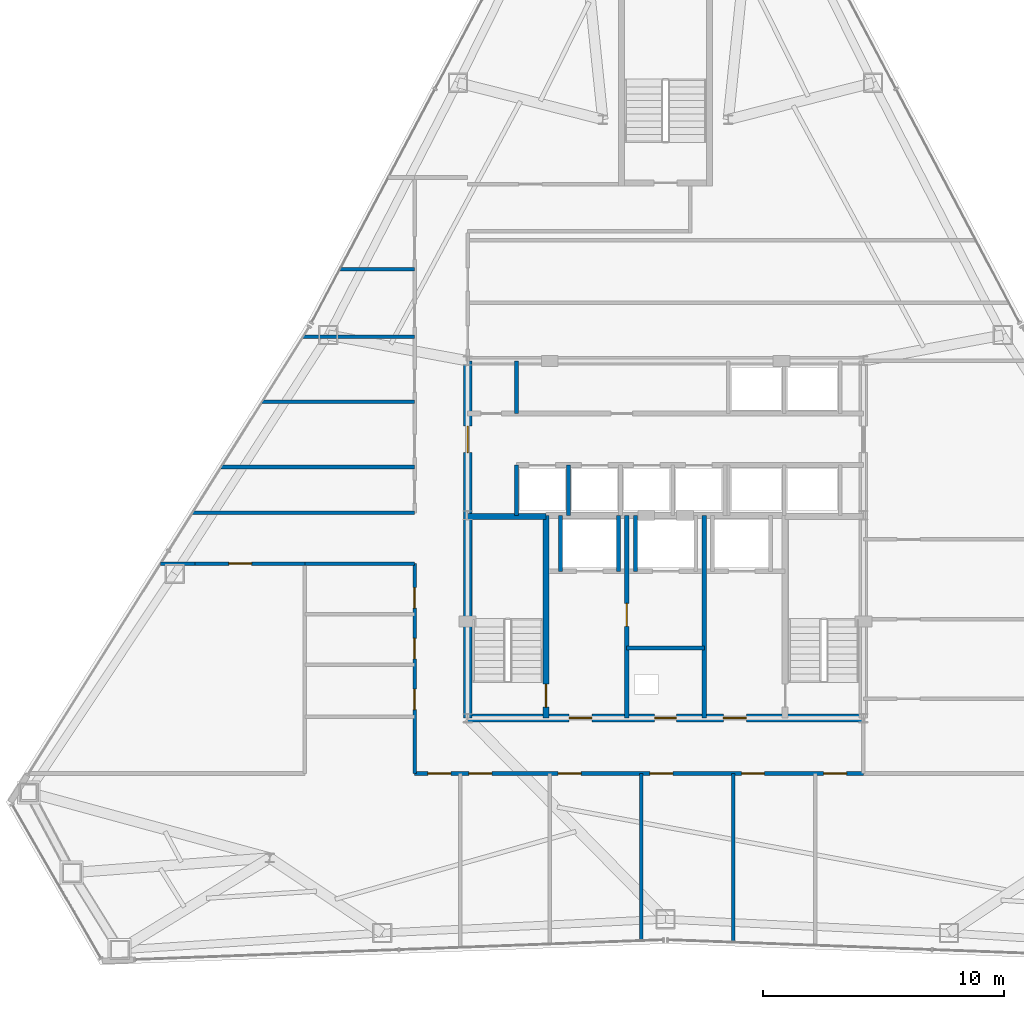
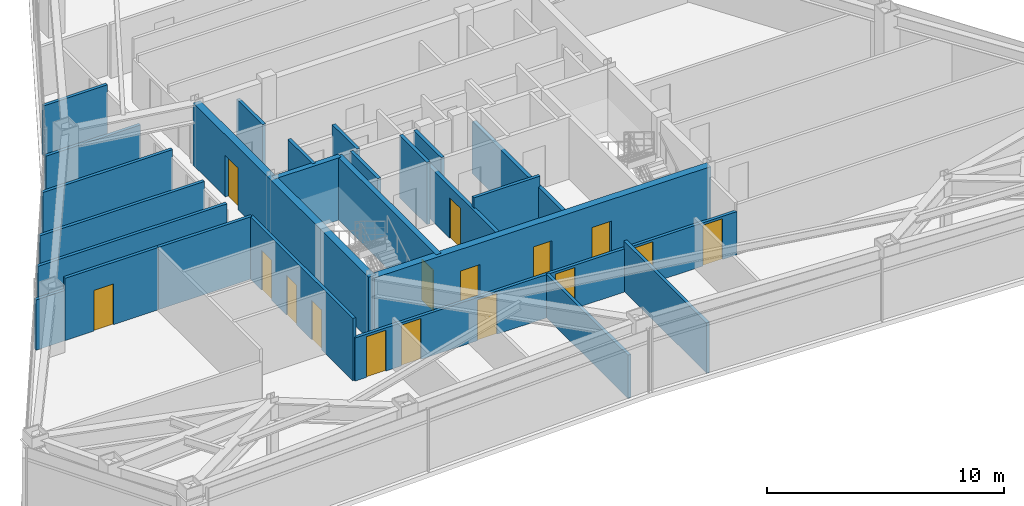
# One storey, part 10 of 13: 25 walls, 16 doors, 16 openings.
"""IFC4 building model written with IfcOpenShell, lengths in metres."""

from ifc_helpers import new_model, si_unit, direction, frame, frame_2d, origin, place, context, subcontext, project, spatial, rectangle, extrude, material, layer, layer_set, type_object, element, fill, save


model = new_model("IFC4")

# Units and contexts
model_context = context("Model", 3, precision=1e-05, world=origin(), true_north=direction((0.0, 1.0)))
body_context = subcontext(model_context, "Body", "Model", "MODEL_VIEW")
ifc_project = project(units=[si_unit("LENGTHUNIT", "METRE"), si_unit("AREAUNIT", "SQUARE_METRE"), si_unit("VOLUMEUNIT", "CUBIC_METRE"), si_unit("PLANEANGLEUNIT", "RADIAN"), si_unit("MASSUNIT", "GRAM", prefix="KILO")], contexts=[model_context])

# Site, building, storey
site_placement = place(None, origin())
site = spatial("IfcSite", under=ifc_project, at=site_placement, CompositionType="ELEMENT")
building_placement = place(site_placement, origin())
building = spatial("IfcBuilding", under=site, at=building_placement, Name="Varakhsha Concourse Tower", CompositionType="ELEMENT")
storey_placement = place(building_placement, frame((0.0, 0.0, 179.25)))
storey = spatial("IfcBuildingStorey", under=building, at=storey_placement, Name="L51", CompositionType="ELEMENT", Elevation=179.25)

# Wall, openings, doors
ifc_material_1 = material(Name="Concrete fc 65 MPa", Category="concrete")
ifc_layer_1 = layer(ifc_material_1, 0.35009765625, Name="WL-CORE-350")
ifc_layer_set_1 = layer_set([ifc_layer_1], Name="Concrete fc 65 MPa")
wall_type_1 = type_object("IfcWallType", Name="WL-CORE-350", PredefinedType="SHEAR", material=ifc_layer_set_1)
wall_1_placement = place(storey_placement, frame((31.800048828125, 16.39990234375, 0.0), z_axis=(0.0, 0.0, 1.0), x_axis=(1.0, 0.0, 0.0)))
wall_1 = element("IfcWall", 1, at=wall_1_placement, inside=storey, type_object=wall_type_1, Name="L51 Wall CWALL-S-L51", PredefinedType="SHEAR", context=body_context, shape_type="SweptSolid", body=[
    extrude(rectangle(XDim=16.39990234375, YDim=0.35009765625, at=frame_2d((8.199951171875, 0.0))), origin(), (0.0, 0.0, 1.0), 3.2099609375),
])
opening_1_placement = place(wall_1_placement, frame((7.75, 0.0, 0.0)))
opening_1 = element("IfcOpeningElement", 2, at=opening_1_placement, cuts=wall_1, Name="Opening DF-06", PredefinedType="OPENING", context=body_context, shape_type="SweptSolid", body=[
    extrude(rectangle(XDim=0.89990234375, YDim=2.10009765625, at=frame_2d((0.449951171875, 1.050048828125))), frame((0.0, 0.18505859375, 0.0), z_axis=(0.0, -1.0, 0.0), x_axis=(1.0, 0.0, 0.0)), (0.0, 0.0, 1.0), 0.3701171875),
])
opening_2_placement = place(wall_1_placement, frame((4.199951171875, 0.0, 0.0)))
opening_2 = element("IfcOpeningElement", 3, at=opening_2_placement, cuts=wall_1, Name="Opening DF-05", PredefinedType="OPENING", context=body_context, shape_type="SweptSolid", body=[
    extrude(rectangle(XDim=0.949951171875, YDim=2.10009765625, at=frame_2d((0.47509765625, 1.050048828125))), frame((0.0, 0.18505859375, 0.0), z_axis=(0.0, -1.0, 0.0), x_axis=(1.0, 0.0, 0.0)), (0.0, 0.0, 1.0), 0.3701171875),
])
opening_3_placement = place(wall_1_placement, frame((10.60009765625, 0.0, 0.0)))
opening_3 = element("IfcOpeningElement", 4, at=opening_3_placement, cuts=wall_1, Name="Opening DF-05", PredefinedType="OPENING", context=body_context, shape_type="SweptSolid", body=[
    extrude(rectangle(XDim=0.949951171875, YDim=2.10009765625, at=frame_2d((0.47509765625, 1.050048828125))), frame((0.0, 0.18505859375, 0.0), z_axis=(0.0, -1.0, 0.0), x_axis=(1.0, 0.0, 0.0)), (0.0, 0.0, 1.0), 0.3701171875),
])
ifc_material_2 = material(Name="Hollow Galvanised Steel Fire Door Assembly", Category="steel")
door_type_1 = type_object("IfcDoorType", Name="DR-FD60-900", OperationType="NOTDEFINED", PredefinedType="DOOR", material=ifc_material_2)
door_1_placement = place(opening_1_placement, origin())
door_1 = element("IfcDoor", 5, at=door_1_placement, inside=storey, type_object=door_type_1, Name="L51 Electrical Riser Access Door", OperationType="SINGLE_SWING_LEFT", OverallHeight=2.10009765625, OverallWidth=0.89990234375, PredefinedType="DOOR", context=body_context, shape_type="SweptSolid", body=[
    extrude(rectangle(XDim=0.89990234375, YDim=2.10009765625, at=frame_2d((0.449951171875, 1.050048828125))), frame((0.0, 0.02490234375, 0.0), z_axis=(0.0, -1.0, 0.0), x_axis=(1.0, 0.0, 0.0)), (0.0, 0.0, 1.0), 0.050048828125),
])
fill(opening_1, door_1)
door_type_2 = type_object("IfcDoorType", Name="DR-FD60-950", OperationType="NOTDEFINED", PredefinedType="DOOR", material=ifc_material_2)
door_2_placement = place(opening_2_placement, origin())
door_2 = element("IfcDoor", 6, at=door_2_placement, inside=storey, type_object=door_type_2, Name="L51 Firefighting Lobby West Door", OperationType="SINGLE_SWING_RIGHT", OverallHeight=2.10009765625, OverallWidth=0.949951171875, PredefinedType="DOOR", context=body_context, shape_type="SweptSolid", body=[
    extrude(rectangle(XDim=0.949951171875, YDim=2.10009765625, at=frame_2d((0.47509765625, 1.050048828125))), frame((0.0, 0.02490234375, 0.0), z_axis=(0.0, -1.0, 0.0), x_axis=(1.0, 0.0, 0.0)), (0.0, 0.0, 1.0), 0.050048828125),
])
fill(opening_2, door_2)
door_3_placement = place(opening_3_placement, origin())
door_3 = element("IfcDoor", 7, at=door_3_placement, inside=storey, type_object=door_type_2, Name="L51 Firefighting Lobby East Door", OperationType="SINGLE_SWING_LEFT", OverallHeight=2.10009765625, OverallWidth=0.949951171875, PredefinedType="DOOR", context=body_context, shape_type="SweptSolid", body=[
    extrude(rectangle(XDim=0.949951171875, YDim=2.10009765625, at=frame_2d((0.47509765625, 1.050048828125))), frame((0.0, 0.02490234375, 0.0), z_axis=(0.0, -1.0, 0.0), x_axis=(1.0, 0.0, 0.0)), (0.0, 0.0, 1.0), 0.050048828125),
])
fill(opening_3, door_3)

# Wall, opening, door
wall_2_placement = place(storey_placement, frame((31.800048828125, 16.39990234375, 0.0), z_axis=(0.0, 0.0, 1.0), x_axis=(0.0, 1.0, 0.0)))
wall_2 = element("IfcWall", 8, at=wall_2_placement, inside=storey, type_object=wall_type_1, Name="L51 Wall CWALL-W-L51", PredefinedType="SHEAR", context=body_context, shape_type="SweptSolid", body=[
    extrude(rectangle(XDim=14.800048828125, YDim=0.35009765625, at=frame_2d((7.39990234375, 0.0))), origin(), (0.0, 0.0, 1.0), 3.2099609375),
])
opening_4_placement = place(wall_2_placement, frame((11.0, 0.0, 0.0)))
opening_4 = element("IfcOpeningElement", 9, at=opening_4_placement, cuts=wall_2, Name="Opening DL-01", PredefinedType="OPENING", context=body_context, shape_type="SweptSolid", body=[
    extrude(rectangle(XDim=1.10009765625, YDim=2.14990234375, at=frame_2d((0.550048828125, 1.074951171875))), frame((0.0, 0.18505859375, 0.0), z_axis=(0.0, -1.0, 0.0), x_axis=(1.0, 0.0, 0.0)), (0.0, 0.0, 1.0), 0.3701171875),
])
ifc_material_3 = material(Name="Anodised Bronze Architectural Aluminium AA 6063-T6", Category="aluminium")
door_type_3 = type_object("IfcDoorType", Name="DR-LOB-1100", OperationType="NOTDEFINED", PredefinedType="DOOR", material=ifc_material_3)
door_4_placement = place(opening_4_placement, origin())
door_4 = element("IfcDoor", 10, at=door_4_placement, inside=storey, type_object=door_type_3, Name="L51 Lift Lobby West Concourse Door", OperationType="SINGLE_SWING_LEFT", OverallHeight=2.14990234375, OverallWidth=1.10009765625, PredefinedType="DOOR", context=body_context, shape_type="SweptSolid", body=[
    extrude(rectangle(XDim=1.10009765625, YDim=2.14990234375, at=frame_2d((0.550048828125, 1.074951171875))), frame((0.0, 0.02490234375, 0.0), z_axis=(0.0, -1.0, 0.0), x_axis=(1.0, 0.0, 0.0)), (0.0, 0.0, 1.0), 0.050048828125),
])
fill(opening_4, door_4)

ifc_material_4 = material(Name="Fire-Rated Type X Gypsum Partition Assembly", Category="gypsum")
ifc_layer_2 = layer(ifc_material_4, 0.179931640625, Name="WL-FFLOB-180")
ifc_layer_set_2 = layer_set([ifc_layer_2], Name="Fire-Rated Type X Gypsum Partition Assembly")
wall_type_2 = type_object("IfcWallType", Name="WL-FFLOB-180", PredefinedType="PARTITIONING", material=ifc_layer_set_2)
wall_3_placement = place(storey_placement, frame((38.389892578125, 16.39990234375, 0.0), z_axis=(0.0, 0.0, 1.0), x_axis=(0.0, 1.0, 0.0)))
wall_3 = element("IfcWall", 11, at=wall_3_placement, inside=storey, type_object=wall_type_2, Name="L51 Wall FFW-1E-L51", PredefinedType="PARTITIONING", context=body_context, shape_type="SweptSolid", body=[
    extrude(rectangle(XDim=8.400146484375, YDim=0.179931640625, at=frame_2d((4.2001953125, 0.0))), origin(), (0.0, 0.0, 1.0), 2.6650390625),
])
opening_5_placement = place(wall_3_placement, frame((3.800048828125, 0.0, 0.0)))
opening_5 = element("IfcOpeningElement", 12, at=opening_5_placement, cuts=wall_3, Name="Opening DF-05", PredefinedType="OPENING", context=body_context, shape_type="SweptSolid", body=[
    extrude(rectangle(XDim=0.949951171875, YDim=2.10009765625, at=frame_2d((0.47509765625, 1.050048828125))), frame((0.0, 0.099853515625, 0.0), z_axis=(0.0, -1.0, 0.0), x_axis=(1.0, 0.0, 0.0)), (0.0, 0.0, 1.0), 0.199951171875),
])
door_5_placement = place(opening_5_placement, origin())
door_5 = element("IfcDoor", 13, at=door_5_placement, inside=storey, type_object=door_type_2, Name="L51 Service Vestibule Door", OperationType="SINGLE_SWING_RIGHT", OverallHeight=2.10009765625, OverallWidth=0.949951171875, PredefinedType="DOOR", context=body_context, shape_type="SweptSolid", body=[
    extrude(rectangle(XDim=0.949951171875, YDim=2.10009765625, at=frame_2d((0.47509765625, 1.050048828125))), frame((0.0, 0.02490234375, 0.0), z_axis=(0.0, -1.0, 0.0), x_axis=(1.0, 0.0, 0.0)), (0.0, 0.0, 1.0), 0.050048828125),
])
fill(opening_5, door_5)

# Walls
wall_4_placement = place(storey_placement, frame((41.610107421875, 16.39990234375, 0.0), z_axis=(0.0, 0.0, 1.0), x_axis=(0.0, 1.0, 0.0)))
element("IfcWall", 14, at=wall_4_placement, inside=storey, type_object=wall_type_2, Name="L51 Wall FFW-2W-L51", PredefinedType="PARTITIONING", context=body_context, shape_type="SweptSolid", body=[
    extrude(rectangle(XDim=8.400146484375, YDim=0.179931640625, at=frame_2d((4.2001953125, 0.0))), origin(), (0.0, 0.0, 1.0), 2.6650390625),
])
ifc_layer_3 = layer(ifc_material_4, 0.14990234375, Name="WL-PART-150")
ifc_layer_set_3 = layer_set([ifc_layer_3], Name="Fire-Rated Type X Gypsum Partition Assembly")
wall_type_3 = type_object("IfcWallType", Name="WL-PART-150", PredefinedType="PARTITIONING", material=ifc_layer_set_3)
wall_5_placement = place(storey_placement, frame((38.389892578125, 19.300048828125, 0.0), z_axis=(0.0, 0.0, 1.0), x_axis=(1.0, 0.0, 0.0)))
element("IfcWall", 15, at=wall_5_placement, inside=storey, type_object=wall_type_3, Name="L51 Wall RSW-H-L51", PredefinedType="PARTITIONING", context=body_context, shape_type="SweptSolid", body=[
    extrude(rectangle(XDim=3.22021484375, YDim=0.14990234375, at=frame_2d((1.610107421875, 0.0))), origin(), (0.0, 0.0, 1.0), 3.2099609375),
])

# Wall, openings, doors
wall_6_placement = place(storey_placement, frame((29.60009765625, 14.10009765625, 0.0), z_axis=(0.0, 0.0, 1.0), x_axis=(1.0, 0.0, 0.0)))
wall_6 = element("IfcWall", 16, at=wall_6_placement, inside=storey, type_object=wall_type_3, Name="L51 Wall CRW-S-L51", PredefinedType="PARTITIONING", context=body_context, shape_type="SweptSolid", body=[
    extrude(rectangle(XDim=18.599853515625, YDim=0.14990234375, at=frame_2d((9.2998046875, 0.0))), origin(), (0.0, 0.0, 1.0), 2.22509765625),
])
opening_6_placement = place(wall_6_placement, frame((0.550048828125, 0.0, 0.0)))
opening_6 = element("IfcOpeningElement", 17, at=opening_6_placement, cuts=wall_6, Name="Opening DF-05", PredefinedType="OPENING", context=body_context, shape_type="SweptSolid", body=[
    extrude(rectangle(XDim=0.949951171875, YDim=2.10009765625, at=frame_2d((0.47509765625, 1.050048828125))), frame((0.0, 0.0849609375, 0.0), z_axis=(0.0, -1.0, 0.0), x_axis=(1.0, 0.0, 0.0)), (0.0, 0.0, 1.0), 0.169921875),
])
opening_7_placement = place(wall_6_placement, frame((2.25, 0.0, 0.0)))
opening_7 = element("IfcOpeningElement", 18, at=opening_7_placement, cuts=wall_6, Name="Opening DF-05", PredefinedType="OPENING", context=body_context, shape_type="SweptSolid", body=[
    extrude(rectangle(XDim=0.949951171875, YDim=2.10009765625, at=frame_2d((0.47509765625, 1.050048828125))), frame((0.0, 0.0849609375, 0.0), z_axis=(0.0, -1.0, 0.0), x_axis=(1.0, 0.0, 0.0)), (0.0, 0.0, 1.0), 0.169921875),
])
opening_8_placement = place(wall_6_placement, frame((5.949951171875, 0.0, 0.0)))
opening_8 = element("IfcOpeningElement", 19, at=opening_8_placement, cuts=wall_6, Name="Opening DF-05", PredefinedType="OPENING", context=body_context, shape_type="SweptSolid", body=[
    extrude(rectangle(XDim=0.949951171875, YDim=2.10009765625, at=frame_2d((0.47509765625, 1.050048828125))), frame((0.0, 0.0849609375, 0.0), z_axis=(0.0, -1.0, 0.0), x_axis=(1.0, 0.0, 0.0)), (0.0, 0.0, 1.0), 0.169921875),
])
opening_9_placement = place(wall_6_placement, frame((9.75, 0.0, 0.0)))
opening_9 = element("IfcOpeningElement", 20, at=opening_9_placement, cuts=wall_6, Name="Opening DF-05", PredefinedType="OPENING", context=body_context, shape_type="SweptSolid", body=[
    extrude(rectangle(XDim=0.949951171875, YDim=2.10009765625, at=frame_2d((0.47509765625, 1.050048828125))), frame((0.0, 0.0849609375, 0.0), z_axis=(0.0, -1.0, 0.0), x_axis=(1.0, 0.0, 0.0)), (0.0, 0.0, 1.0), 0.169921875),
])
opening_10_placement = place(wall_6_placement, frame((13.550048828125, 0.0, 0.0)))
opening_10 = element("IfcOpeningElement", 21, at=opening_10_placement, cuts=wall_6, Name="Opening DF-05", PredefinedType="OPENING", context=body_context, shape_type="SweptSolid", body=[
    extrude(rectangle(XDim=0.949951171875, YDim=2.10009765625, at=frame_2d((0.47509765625, 1.050048828125))), frame((0.0, 0.0849609375, 0.0), z_axis=(0.0, -1.0, 0.0), x_axis=(1.0, 0.0, 0.0)), (0.0, 0.0, 1.0), 0.169921875),
])
opening_11_placement = place(wall_6_placement, frame((16.949951171875, 0.0, 0.0)))
opening_11 = element("IfcOpeningElement", 22, at=opening_11_placement, cuts=wall_6, Name="Opening DF-05", PredefinedType="OPENING", context=body_context, shape_type="SweptSolid", body=[
    extrude(rectangle(XDim=0.949951171875, YDim=2.10009765625, at=frame_2d((0.47509765625, 1.050048828125))), frame((0.0, 0.0849609375, 0.0), z_axis=(0.0, -1.0, 0.0), x_axis=(1.0, 0.0, 0.0)), (0.0, 0.0, 1.0), 0.169921875),
])
door_6_placement = place(opening_6_placement, origin())
door_6 = element("IfcDoor", 23, at=door_6_placement, inside=storey, type_object=door_type_2, Name="L51 Deposition Conference Room L51-S1 Door", OperationType="SINGLE_SWING_LEFT", OverallHeight=2.10009765625, OverallWidth=0.949951171875, PredefinedType="DOOR", context=body_context, shape_type="SweptSolid", body=[
    extrude(rectangle(XDim=0.949951171875, YDim=2.10009765625, at=frame_2d((0.47509765625, 1.050048828125))), frame((0.0, 0.02490234375, 0.0), z_axis=(0.0, -1.0, 0.0), x_axis=(1.0, 0.0, 0.0)), (0.0, 0.0, 1.0), 0.050048828125),
])
fill(opening_6, door_6)
door_7_placement = place(opening_7_placement, origin())
door_7 = element("IfcDoor", 24, at=door_7_placement, inside=storey, type_object=door_type_2, Name="L51 Senior Partner Chamber L51-S2 Door", OperationType="SINGLE_SWING_RIGHT", OverallHeight=2.10009765625, OverallWidth=0.949951171875, PredefinedType="DOOR", context=body_context, shape_type="SweptSolid", body=[
    extrude(rectangle(XDim=0.949951171875, YDim=2.10009765625, at=frame_2d((0.47509765625, 1.050048828125))), frame((0.0, 0.02490234375, 0.0), z_axis=(0.0, -1.0, 0.0), x_axis=(1.0, 0.0, 0.0)), (0.0, 0.0, 1.0), 0.050048828125),
])
fill(opening_7, door_7)
door_8_placement = place(opening_8_placement, origin())
door_8 = element("IfcDoor", 25, at=door_8_placement, inside=storey, type_object=door_type_2, Name="L51 Senior Partner Chamber L51-S3 Door", OperationType="SINGLE_SWING_LEFT", OverallHeight=2.10009765625, OverallWidth=0.949951171875, PredefinedType="DOOR", context=body_context, shape_type="SweptSolid", body=[
    extrude(rectangle(XDim=0.949951171875, YDim=2.10009765625, at=frame_2d((0.47509765625, 1.050048828125))), frame((0.0, 0.02490234375, 0.0), z_axis=(0.0, -1.0, 0.0), x_axis=(1.0, 0.0, 0.0)), (0.0, 0.0, 1.0), 0.050048828125),
])
fill(opening_8, door_8)
door_9_placement = place(opening_9_placement, origin())
door_9 = element("IfcDoor", 26, at=door_9_placement, inside=storey, type_object=door_type_2, Name="L51 Senior Partner Chamber L51-S4 Door", OperationType="SINGLE_SWING_RIGHT", OverallHeight=2.10009765625, OverallWidth=0.949951171875, PredefinedType="DOOR", context=body_context, shape_type="SweptSolid", body=[
    extrude(rectangle(XDim=0.949951171875, YDim=2.10009765625, at=frame_2d((0.47509765625, 1.050048828125))), frame((0.0, 0.02490234375, 0.0), z_axis=(0.0, -1.0, 0.0), x_axis=(1.0, 0.0, 0.0)), (0.0, 0.0, 1.0), 0.050048828125),
])
fill(opening_9, door_9)
door_10_placement = place(opening_10_placement, origin())
door_10 = element("IfcDoor", 27, at=door_10_placement, inside=storey, type_object=door_type_2, Name="L51 Senior Partner Chamber L51-S5 Door", OperationType="SINGLE_SWING_LEFT", OverallHeight=2.10009765625, OverallWidth=0.949951171875, PredefinedType="DOOR", context=body_context, shape_type="SweptSolid", body=[
    extrude(rectangle(XDim=0.949951171875, YDim=2.10009765625, at=frame_2d((0.47509765625, 1.050048828125))), frame((0.0, 0.02490234375, 0.0), z_axis=(0.0, -1.0, 0.0), x_axis=(1.0, 0.0, 0.0)), (0.0, 0.0, 1.0), 0.050048828125),
])
fill(opening_10, door_10)
door_11_placement = place(opening_11_placement, origin())
door_11 = element("IfcDoor", 28, at=door_11_placement, inside=storey, type_object=door_type_2, Name="L51 Senior Partner Chamber L51-S6 Door", OperationType="SINGLE_SWING_RIGHT", OverallHeight=2.10009765625, OverallWidth=0.949951171875, PredefinedType="DOOR", context=body_context, shape_type="SweptSolid", body=[
    extrude(rectangle(XDim=0.949951171875, YDim=2.10009765625, at=frame_2d((0.47509765625, 1.050048828125))), frame((0.0, 0.02490234375, 0.0), z_axis=(0.0, -1.0, 0.0), x_axis=(1.0, 0.0, 0.0)), (0.0, 0.0, 1.0), 0.050048828125),
])
fill(opening_11, door_11)

wall_7_placement = place(storey_placement, frame((29.60009765625, 14.10009765625, 0.0), z_axis=(0.0, 0.0, 1.0), x_axis=(0.0, 1.0, 0.0)))
wall_7 = element("IfcWall", 29, at=wall_7_placement, inside=storey, type_object=wall_type_3, Name="L51 Wall CRW-WS-L51", PredefinedType="PARTITIONING", context=body_context, shape_type="SweptSolid", body=[
    extrude(rectangle(XDim=8.699951171875, YDim=0.14990234375, at=frame_2d((4.35009765625, 0.0))), origin(), (0.0, 0.0, 1.0), 3.2099609375),
])
opening_12_placement = place(wall_7_placement, frame((2.64990234375, 0.0, 0.0)))
opening_12 = element("IfcOpeningElement", 30, at=opening_12_placement, cuts=wall_7, Name="Opening DF-07", PredefinedType="OPENING", context=body_context, shape_type="SweptSolid", body=[
    extrude(rectangle(XDim=0.85009765625, YDim=2.050048828125, at=frame_2d((0.425048828125, 1.02490234375))), frame((0.0, 0.0849609375, 0.0), z_axis=(0.0, -1.0, 0.0), x_axis=(1.0, 0.0, 0.0)), (0.0, 0.0, 1.0), 0.169921875),
])
opening_13_placement = place(wall_7_placement, frame((4.75, 0.0, 0.0)))
opening_13 = element("IfcOpeningElement", 31, at=opening_13_placement, cuts=wall_7, Name="Opening DF-07", PredefinedType="OPENING", context=body_context, shape_type="SweptSolid", body=[
    extrude(rectangle(XDim=0.85009765625, YDim=2.050048828125, at=frame_2d((0.425048828125, 1.02490234375))), frame((0.0, 0.0849609375, 0.0), z_axis=(0.0, -1.0, 0.0), x_axis=(1.0, 0.0, 0.0)), (0.0, 0.0, 1.0), 0.169921875),
])
opening_14_placement = place(wall_7_placement, frame((6.85009765625, 0.0, 0.0)))
opening_14 = element("IfcOpeningElement", 32, at=opening_14_placement, cuts=wall_7, Name="Opening DF-07", PredefinedType="OPENING", context=body_context, shape_type="SweptSolid", body=[
    extrude(rectangle(XDim=0.85009765625, YDim=2.050048828125, at=frame_2d((0.425048828125, 1.02490234375))), frame((0.0, 0.0849609375, 0.0), z_axis=(0.0, -1.0, 0.0), x_axis=(1.0, 0.0, 0.0)), (0.0, 0.0, 1.0), 0.169921875),
])
door_type_4 = type_object("IfcDoorType", Name="DR-FD60-850", OperationType="NOTDEFINED", PredefinedType="DOOR", material=ifc_material_2)
door_12_placement = place(opening_12_placement, origin())
door_12 = element("IfcDoor", 33, at=door_12_placement, inside=storey, type_object=door_type_4, Name="L51 Men Restroom WC Door", OperationType="SINGLE_SWING_LEFT", OverallHeight=2.050048828125, OverallWidth=0.85009765625, PredefinedType="DOOR", context=body_context, shape_type="SweptSolid", body=[
    extrude(rectangle(XDim=0.85009765625, YDim=2.050048828125, at=frame_2d((0.425048828125, 1.02490234375))), frame((0.0, 0.02490234375, 0.0), z_axis=(0.0, -1.0, 0.0), x_axis=(1.0, 0.0, 0.0)), (0.0, 0.0, 1.0), 0.050048828125),
])
fill(opening_12, door_12)
door_13_placement = place(opening_13_placement, origin())
door_13 = element("IfcDoor", 34, at=door_13_placement, inside=storey, type_object=door_type_4, Name="L51 Women Restroom WC Door", OperationType="SINGLE_SWING_LEFT", OverallHeight=2.050048828125, OverallWidth=0.85009765625, PredefinedType="DOOR", context=body_context, shape_type="SweptSolid", body=[
    extrude(rectangle(XDim=0.85009765625, YDim=2.050048828125, at=frame_2d((0.425048828125, 1.02490234375))), frame((0.0, 0.02490234375, 0.0), z_axis=(0.0, -1.0, 0.0), x_axis=(1.0, 0.0, 0.0)), (0.0, 0.0, 1.0), 0.050048828125),
])
fill(opening_13, door_13)
door_14_placement = place(opening_14_placement, origin())
door_14 = element("IfcDoor", 35, at=door_14_placement, inside=storey, type_object=door_type_4, Name="L51 Accessible WC Door", OperationType="SINGLE_SWING_LEFT", OverallHeight=2.050048828125, OverallWidth=0.85009765625, PredefinedType="DOOR", context=body_context, shape_type="SweptSolid", body=[
    extrude(rectangle(XDim=0.85009765625, YDim=2.050048828125, at=frame_2d((0.425048828125, 1.02490234375))), frame((0.0, 0.02490234375, 0.0), z_axis=(0.0, -1.0, 0.0), x_axis=(1.0, 0.0, 0.0)), (0.0, 0.0, 1.0), 0.050048828125),
])
fill(opening_14, door_14)

# Walls
wall_8_placement = place(storey_placement, frame((19.074462890625, 22.800048828125, 0.0), z_axis=(0.0, 0.0, 1.0), x_axis=(1.0, 0.0, 0.0)))
element("IfcWall", 36, at=wall_8_placement, inside=storey, type_object=wall_type_3, Name="L51 Wall CRW-WWS-W-L51", PredefinedType="PARTITIONING", context=body_context, shape_type="SweptSolid", body=[
    extrude(rectangle(XDim=1.425537109375, YDim=0.14990234375, at=frame_2d((0.712890625, 0.0))), origin(), (0.0, 0.0, 1.0), 2.589111328125),
])
wall_9_placement = place(storey_placement, frame((25.050048828125, 22.800048828125, 0.0), z_axis=(0.0, 0.0, 1.0), x_axis=(1.0, 0.0, 0.0)))
element("IfcWall", 37, at=wall_9_placement, inside=storey, type_object=wall_type_3, Name="L51 Wall CRW-WWS-E-L51", PredefinedType="PARTITIONING", context=body_context, shape_type="SweptSolid", body=[
    extrude(rectangle(XDim=4.550048828125, YDim=0.14990234375, at=frame_2d((2.27490234375, 0.0))), origin(), (0.0, 0.0, 1.0), 3.2099609375),
])
wall_10_placement = place(storey_placement, frame((20.393798828125, 24.89990234375, 0.0), z_axis=(0.0, 0.0, 1.0), x_axis=(1.0, 0.0, 0.0)))
element("IfcWall", 38, at=wall_10_placement, inside=storey, type_object=wall_type_3, Name="L51 Wall CRW-WWN-L51", PredefinedType="PARTITIONING", context=body_context, shape_type="SweptSolid", body=[
    extrude(rectangle(XDim=9.206298828125, YDim=0.14990234375, at=frame_2d((4.60302734375, 0.0))), origin(), (0.0, 0.0, 1.0), 2.589111328125),
])
wall_11_placement = place(storey_placement, frame((39.0, 7.177001953125, 0.0), z_axis=(0.0, 0.0, 1.0), x_axis=(0.0, 1.0, 0.0)))
element("IfcWall", 39, at=wall_11_placement, inside=storey, type_object=wall_type_3, Name="L51 Wall ODIV-S3-L51", PredefinedType="PARTITIONING", context=body_context, shape_type="SweptSolid", body=[
    extrude(rectangle(XDim=6.923095703125, YDim=0.14990234375, at=frame_2d((3.46142578125, 0.0))), origin(), (0.0, 0.0, 1.0), 2.22509765625),
])
wall_12_placement = place(storey_placement, frame((42.800048828125, 7.10986328125, 0.0), z_axis=(0.0, 0.0, 1.0), x_axis=(0.0, 1.0, 0.0)))
element("IfcWall", 40, at=wall_12_placement, inside=storey, type_object=wall_type_3, Name="L51 Wall ODIV-S4-L51", PredefinedType="PARTITIONING", context=body_context, shape_type="SweptSolid", body=[
    extrude(rectangle(XDim=6.990234375, YDim=0.14990234375, at=frame_2d((3.4951171875, 0.0))), origin(), (0.0, 0.0, 1.0), 2.589111328125),
])

# Wall, opening, door
wall_13_placement = place(storey_placement, frame((20.5, 22.800048828125, 0.0), z_axis=(0.0, 0.0, 1.0), x_axis=(1.0, 0.0, 0.0)))
wall_13 = element("IfcWall", 41, at=wall_13_placement, inside=storey, type_object=wall_type_3, Name="L51 Wall CRW-WWS-DOOR-L51", PredefinedType="PARTITIONING", context=body_context, shape_type="SweptSolid", body=[
    extrude(rectangle(XDim=4.550048828125, YDim=0.14990234375, at=frame_2d((2.27490234375, 0.0))), origin(), (0.0, 0.0, 1.0), 3.2099609375),
])
opening_15_placement = place(wall_13_placement, frame((1.39990234375, 0.0, 0.0)))
opening_15 = element("IfcOpeningElement", 42, at=opening_15_placement, cuts=wall_13, Name="Opening DF-05", PredefinedType="OPENING", context=body_context, shape_type="SweptSolid", body=[
    extrude(rectangle(XDim=0.949951171875, YDim=2.10009765625, at=frame_2d((0.47509765625, 1.050048828125))), frame((0.0, 0.0849609375, 0.0), z_axis=(0.0, -1.0, 0.0), x_axis=(1.0, 0.0, 0.0)), (0.0, 0.0, 1.0), 0.169921875),
])
door_15_placement = place(opening_15_placement, origin())
door_15 = element("IfcDoor", 43, at=door_15_placement, inside=storey, type_object=door_type_2, Name="L51 Legal Research Library L51-SW Door", OperationType="SINGLE_SWING_LEFT", OverallHeight=2.10009765625, OverallWidth=0.949951171875, PredefinedType="DOOR", context=body_context, shape_type="SweptSolid", body=[
    extrude(rectangle(XDim=0.949951171875, YDim=2.10009765625, at=frame_2d((0.47509765625, 1.050048828125))), frame((0.0, 0.02490234375, 0.0), z_axis=(0.0, -1.0, 0.0), x_axis=(1.0, 0.0, 0.0)), (0.0, 0.0, 1.0), 0.050048828125),
])
fill(opening_15, door_15)

# Walls
wall_14_placement = place(storey_placement, frame((21.587646484375, 26.800048828125, 0.0), z_axis=(0.0, 0.0, 1.0), x_axis=(1.0, 0.0, 0.0)))
element("IfcWall", 44, at=wall_14_placement, inside=storey, type_object=wall_type_3, Name="L51 Wall ODIV-W1-L51", PredefinedType="PARTITIONING", context=body_context, shape_type="SweptSolid", body=[
    extrude(rectangle(XDim=8.012451171875, YDim=0.14990234375, at=frame_2d((4.00634765625, 0.0))), origin(), (0.0, 0.0, 1.0), 2.589111328125),
])
wall_15_placement = place(storey_placement, frame((23.2841796875, 29.5, 0.0), z_axis=(0.0, 0.0, 1.0), x_axis=(1.0, 0.0, 0.0)))
element("IfcWall", 45, at=wall_15_placement, inside=storey, type_object=wall_type_3, Name="L51 Wall ODIV-W2-L51", PredefinedType="PARTITIONING", context=body_context, shape_type="SweptSolid", body=[
    extrude(rectangle(XDim=6.31591796875, YDim=0.14990234375, at=frame_2d((3.157958984375, 0.0))), origin(), (0.0, 0.0, 1.0), 2.589111328125),
])
wall_16_placement = place(storey_placement, frame((24.980712890625, 32.199951171875, 0.0), z_axis=(0.0, 0.0, 1.0), x_axis=(1.0, 0.0, 0.0)))
element("IfcWall", 46, at=wall_16_placement, inside=storey, type_object=wall_type_3, Name="L51 Wall ODIV-W3-L51", PredefinedType="PARTITIONING", context=body_context, shape_type="SweptSolid", body=[
    extrude(rectangle(XDim=4.619384765625, YDim=0.14990234375, at=frame_2d((2.3095703125, 0.0))), origin(), (0.0, 0.0, 1.0), 2.22509765625),
])
wall_17_placement = place(storey_placement, frame((26.509765625, 35.0, 0.0), z_axis=(0.0, 0.0, 1.0), x_axis=(1.0, 0.0, 0.0)))
element("IfcWall", 47, at=wall_17_placement, inside=storey, type_object=wall_type_3, Name="L51 Wall ODIV-W4-L51", PredefinedType="PARTITIONING", context=body_context, shape_type="SweptSolid", body=[
    extrude(rectangle(XDim=3.09033203125, YDim=0.14990234375, at=frame_2d((1.545166015625, 0.0))), origin(), (0.0, 0.0, 1.0), 2.589111328125),
])
ifc_layer_4 = layer(ifc_material_4, 0.199951171875, Name="WL-SHAFT-220")
ifc_layer_set_4 = layer_set([ifc_layer_4], Name="Fire-Rated Type X Gypsum Partition Assembly")
wall_type_4 = type_object("IfcWallType", Name="WL-SHAFT-220", PredefinedType="SOLIDWALL", material=ifc_layer_set_4)
for number, where, z_axis, x_axis, name in (
    (48, (35.64990234375, 22.47998046875, 0.0), (0.0, 0.0, 1.0), (0.0, 1.0, 0.0), "L51 Wall SHW-FFL-1-W-L51"),
    (49, (38.050048828125, 22.47998046875, 0.0), (0.0, 0.0, 1.0), (0.0, 1.0, 0.0), "L51 Wall SHW-FFL-1-E-L51"),
    (50, (38.75, 22.47998046875, 0.0), (0.0, 0.0, 1.0), (0.0, 1.0, 0.0), "L51 Wall SHW-SVL-1-W-L51"),
):
    element("IfcWall", number, at=place(storey_placement, frame(where, z_axis=z_axis, x_axis=x_axis)), inside=storey, type_object=wall_type_4, Name=name, PredefinedType="SOLIDWALL", context=body_context, shape_type="SweptSolid", body=[
        extrude(rectangle(XDim=2.320068359375, YDim=0.159912109375, at=frame_2d((1.16015625, 0.0))), origin(), (0.0, 0.0, 1.0), 3.2099609375),
    ])
wall_18_placement = place(storey_placement, frame((33.820068359375, 29.02001953125, 0.0), z_axis=(0.0, 0.0, 1.0), x_axis=(0.0, 1.0, 0.0)))
element("IfcWall", 51, at=wall_18_placement, inside=storey, type_object=wall_type_4, Name="L51 Wall WBOH-E1-L51", PredefinedType="SOLIDWALL", context=body_context, shape_type="SweptSolid", body=[
    extrude(rectangle(XDim=2.179931640625, YDim=0.159912109375, at=frame_2d((1.08984375, 0.0))), origin(), (0.0, 0.0, 1.0), 2.6650390625),
])
for number, where, z_axis, x_axis, name in (
    (52, (33.820068359375, 24.800048828125, 0.0), (0.0, 0.0, 1.0), (0.0, 1.0, 0.0), "L51 Wall WBOH-E2-L51"),
    (53, (35.97998046875, 24.800048828125, 0.0), (0.0, 0.0, 1.0), (0.0, 1.0, 0.0), "L51 Wall SHW-LF-P05-E-L51"),
):
    element("IfcWall", number, at=place(storey_placement, frame(where, z_axis=z_axis, x_axis=x_axis)), inside=storey, type_object=wall_type_4, Name=name, PredefinedType="SOLIDWALL", context=body_context, shape_type="SweptSolid", body=[
        extrude(rectangle(XDim=2.079833984375, YDim=0.159912109375, at=frame_2d((1.0400390625, 0.0))), origin(), (0.0, 0.0, 1.0), 3.2099609375),
    ])

# Wall, opening, door
ifc_material_5 = material(Name="Concrete fc 45 MPa", Category="concrete")
ifc_layer_5 = layer(ifc_material_5, 0.25, Name="WL-STAIR-250")
ifc_layer_set_5 = layer_set([ifc_layer_5], Name="Concrete fc 45 MPa")
wall_type_5 = type_object("IfcWallType", Name="WL-STAIR-250", PredefinedType="SHEAR", material=ifc_layer_set_5)
wall_19_placement = place(storey_placement, frame((35.044921875, 16.39990234375, 0.0), z_axis=(0.0, 0.0, 1.0), x_axis=(0.0, 1.0, 0.0)))
wall_19 = element("IfcWall", 54, at=wall_19_placement, inside=storey, type_object=wall_type_5, Name="L51 Wall SWALL-ST1-E-L51", PredefinedType="SHEAR", context=body_context, shape_type="SweptSolid", body=[
    extrude(rectangle(XDim=8.400146484375, YDim=0.25, at=frame_2d((4.2001953125, 0.0))), origin(), (0.0, 0.0, 1.0), 3.2099609375),
])
opening_16_placement = place(wall_19_placement, frame((0.449951171875, 0.0, 0.0)))
opening_16 = element("IfcOpeningElement", 55, at=opening_16_placement, cuts=wall_19, Name="Opening DF-03", PredefinedType="OPENING", context=body_context, shape_type="SweptSolid", body=[
    extrude(rectangle(XDim=0.949951171875, YDim=2.10009765625, at=frame_2d((0.47509765625, 1.050048828125))), frame((0.0, 0.135009765625, 0.0), z_axis=(0.0, -1.0, 0.0), x_axis=(1.0, 0.0, 0.0)), (0.0, 0.0, 1.0), 0.27001953125),
])
door_type_5 = type_object("IfcDoorType", Name="DR-FD90-950", OperationType="NOTDEFINED", PredefinedType="DOOR", material=ifc_material_2)
door_16_placement = place(opening_16_placement, origin())
door_16 = element("IfcDoor", 56, at=door_16_placement, inside=storey, type_object=door_type_5, Name="L51 Stair ST1 Fire Door", OperationType="SINGLE_SWING_LEFT", OverallHeight=2.10009765625, OverallWidth=0.949951171875, PredefinedType="DOOR", context=body_context, shape_type="SweptSolid", body=[
    extrude(rectangle(XDim=0.949951171875, YDim=2.10009765625, at=frame_2d((0.47509765625, 1.050048828125))), frame((0.0, 0.02490234375, 0.0), z_axis=(0.0, -1.0, 0.0), x_axis=(1.0, 0.0, 0.0)), (0.0, 0.0, 1.0), 0.050048828125),
])
fill(opening_16, door_16)

# Wall
wall_20_placement = place(storey_placement, frame((31.800048828125, 24.7548828125, 0.0), z_axis=(0.0, 0.0, 1.0), x_axis=(1.0, 0.0, 0.0)))
element("IfcWall", 57, at=wall_20_placement, inside=storey, type_object=wall_type_5, Name="L51 Wall SWALL-ST1-N-L51", PredefinedType="SHEAR", context=body_context, shape_type="SweptSolid", body=[
    extrude(rectangle(XDim=3.244873046875, YDim=0.25, at=frame_2d((1.62255859375, 0.0))), origin(), (0.0, 0.0, 1.0), 3.2099609375),
])

save(model, "model.ifc")
